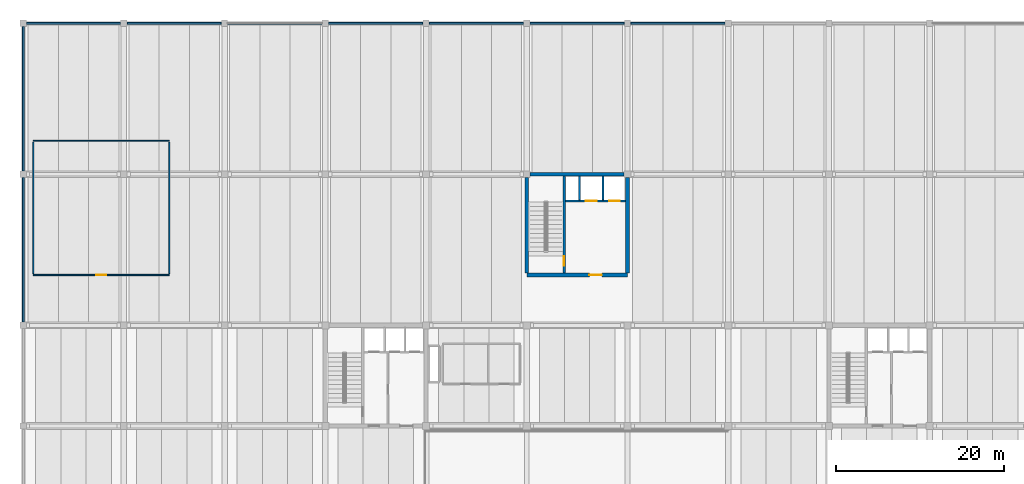
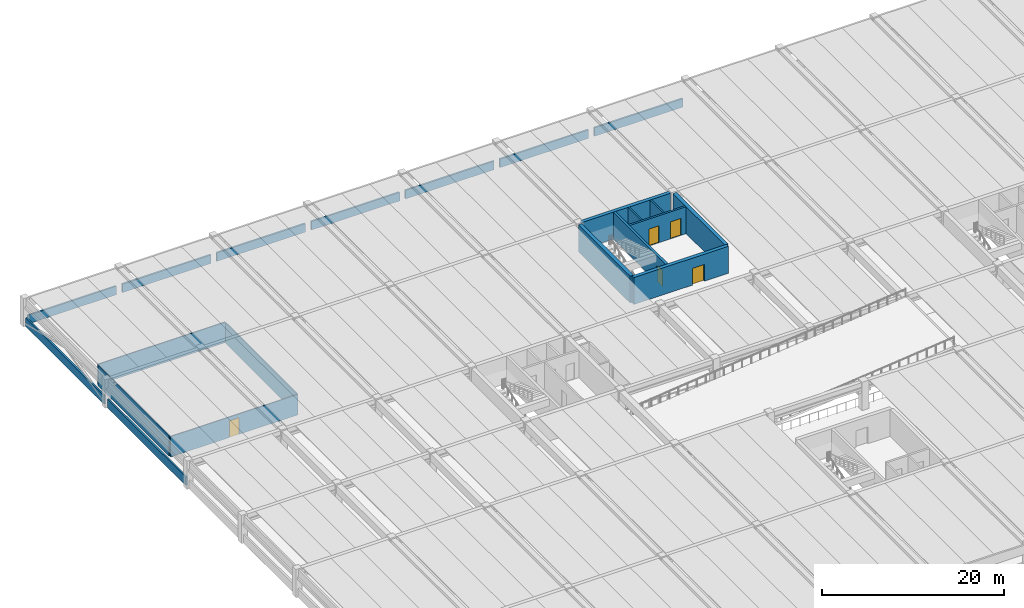
# One storey, part 9 of 14: 21 walls, 5 doors, 5 openings.
"""IFC4 building model written with IfcOpenShell, lengths in metres."""

from ifc_helpers import new_model, si_unit, direction, frame, frame_2d, origin, place, context, subcontext, project, spatial, rectangle, extrude, material, layer, layer_set, type_object, element, fill, save


model = new_model("IFC4")

# Units and contexts
model_context = context("Model", 3, precision=1e-05, world=origin(), true_north=direction((0.0, 1.0)))
body_context = subcontext(model_context, "Body", "Model", "MODEL_VIEW")
ifc_project = project(units=[si_unit("LENGTHUNIT", "METRE"), si_unit("AREAUNIT", "SQUARE_METRE"), si_unit("VOLUMEUNIT", "CUBIC_METRE"), si_unit("PLANEANGLEUNIT", "RADIAN"), si_unit("MASSUNIT", "GRAM", prefix="KILO")], contexts=[model_context])

# Site, building, storey
site_placement = place(None, origin())
site = spatial("IfcSite", under=ifc_project, at=site_placement, CompositionType="ELEMENT")
building_placement = place(site_placement, origin())
building = spatial("IfcBuilding", under=site, at=building_placement, Name="Girod Span Mobility Hub", CompositionType="ELEMENT")
storey_placement = place(building_placement, frame((0.0, 0.0, 24.800048828125)))
storey = spatial("IfcBuildingStorey", under=building, at=storey_placement, Name="L06", CompositionType="ELEMENT", Elevation=24.800048828125)

# Wall, opening, door
ifc_material_1 = material(Name="Concrete C40/50", Category="concrete")
ifc_layer_1 = layer(ifc_material_1, 0.449951171875)
ifc_layer_set_1 = layer_set([ifc_layer_1], Name="Concrete C40/50")
wall_type_1 = type_object("IfcWallType", Name="W-CW-450", PredefinedType="SHEAR", material=ifc_layer_set_1)
wall_1_placement = place(storey_placement, frame((72.0, 75.0, 0.0), z_axis=(0.0, 0.0, 1.0), x_axis=(1.0, 0.0, 0.0)))
wall_1 = element("IfcWall", 1, at=wall_1_placement, inside=storey, type_object=wall_type_1, Name="Core C4 Shear Wall S L06", PredefinedType="SHEAR", context=body_context, shape_type="SweptSolid", body=[
    extrude(rectangle(XDim=12.0, YDim=0.449951171875, at=frame_2d((6.0, 0.0))), origin(), (0.0, 0.0, 1.0), 3.6279296875),
])
opening_1_placement = place(wall_1_placement, frame((7.449951171875, 0.0, 0.0)))
opening_1 = element("IfcOpeningElement", 2, at=opening_1_placement, cuts=wall_1, Name="Opening D-LB-C4-L06", PredefinedType="OPENING", context=body_context, shape_type="SweptSolid", body=[
    extrude(rectangle(XDim=1.5, YDim=2.25, at=frame_2d((0.75, 1.125))), frame((0.0, 0.239990234375, 0.0), z_axis=(0.0, -1.0, 0.0), x_axis=(1.0, 0.0, 0.0)), (0.0, 0.0, 1.0), 0.47998046875),
])
ifc_material_2 = material(Name="Fire-Rated Insulated Hollow Metal Steel", Category="steel")
door_type_1 = type_object("IfcDoorType", Name="DT-FD-03", OperationType="DOUBLE_DOOR_SINGLE_SWING", PredefinedType="DOOR", material=ifc_material_2)
door_1_placement = place(opening_1_placement, origin())
door_1 = element("IfcDoor", 3, at=door_1_placement, inside=storey, type_object=door_type_1, Name="Core C4 Cargo Lift Lobby Door L06", OperationType="DOUBLE_DOOR_SINGLE_SWING", OverallHeight=2.25, OverallWidth=1.5, PredefinedType="DOOR", context=body_context, shape_type="SweptSolid", body=[
    extrude(rectangle(XDim=1.5, YDim=2.25, at=frame_2d((0.75, 1.125))), frame((0.0, 0.02490234375, 0.0), z_axis=(0.0, -1.0, 0.0), x_axis=(1.0, 0.0, 0.0)), (0.0, 0.0, 1.0), 0.050048828125),
])
fill(opening_1, door_1)

# Walls
wall_2_placement = place(storey_placement, frame((72.39697265625, 87.0, 0.0), z_axis=(0.0, 0.0, 1.0), x_axis=(1.0, 0.0, 0.0)))
element("IfcWall", 4, at=wall_2_placement, inside=storey, type_object=wall_type_1, Name="Core C4 Shear Wall N L06", PredefinedType="SHEAR", context=body_context, shape_type="SweptSolid", body=[
    extrude(rectangle(XDim=11.2060546875, YDim=0.449951171875, at=frame_2d((5.60302734375, 0.0))), origin(), (0.0, 0.0, 1.0), 3.6279296875),
])
for number, where, z_axis, x_axis, name in (
    (5, (72.0, 75.221923828125, 0.0), (0.0, 0.0, 1.0), (0.0, 1.0, 0.0), "Core C4 Shear Wall W L06"),
    (6, (84.0, 75.221923828125, 0.0), (0.0, 0.0, 1.0), (0.0, 1.0, 0.0), "Core C4 Shear Wall E L06"),
):
    element("IfcWall", number, at=place(storey_placement, frame(where, z_axis=z_axis, x_axis=x_axis)), inside=storey, type_object=wall_type_1, Name=name, PredefinedType="SHEAR", context=body_context, shape_type="SweptSolid", body=[
        extrude(rectangle(XDim=11.381103515625, YDim=0.449951171875, at=frame_2d((5.6904296875, 0.0))), origin(), (0.0, 0.0, 1.0), 3.6279296875),
    ])
ifc_material_3 = material(Name="Precast Architectural Concrete C40/50", Category="concrete")
ifc_layer_2 = layer(ifc_material_3, 0.215087890625)
ifc_layer_set_2 = layer_set([ifc_layer_2], Name="Precast Architectural Concrete C40/50")
wall_type_2 = type_object("IfcWallType", Name="W-PAR-215", PredefinedType="PARAPET", material=ifc_layer_set_2)
for number, where, z_axis, x_axis, name in (
    (7, (12.373046875, 105.0, 0.0), (0.0, 0.0, 1.0), (1.0, 0.0, 0.0), "Precast Parking Barrier Parapet N-2 L06"),
    (8, (24.373046875, 105.0, 0.0), (0.0, 0.0, 1.0), (1.0, 0.0, 0.0), "Precast Parking Barrier Parapet N-3 L06"),
    (9, (36.373046875, 105.0, 0.0), (0.0, 0.0, 1.0), (1.0, 0.0, 0.0), "Precast Parking Barrier Parapet N-4 L06"),
    (10, (48.373046875, 105.0, 0.0), (0.0, 0.0, 1.0), (1.0, 0.0, 0.0), "Precast Parking Barrier Parapet N-5 L06"),
    (11, (60.373046875, 105.0, 0.0), (0.0, 0.0, 1.0), (1.0, 0.0, 0.0), "Precast Parking Barrier Parapet N-6 L06"),
    (12, (72.373046875, 105.0, 0.0), (0.0, 0.0, 1.0), (1.0, 0.0, 0.0), "Precast Parking Barrier Parapet N-7 L06"),
    (13, (84.373046875, 105.0, 0.0), (0.0, 0.0, 1.0), (1.0, 0.0, 0.0), "Precast Parking Barrier Parapet N-8 L06"),
):
    element("IfcWall", number, at=place(storey_placement, frame(where, z_axis=z_axis, x_axis=x_axis)), inside=storey, type_object=wall_type_2, Name=name, PredefinedType="PARAPET", context=body_context, shape_type="SweptSolid", body=[
        extrude(rectangle(XDim=11.25390625, YDim=0.215087890625, at=frame_2d((5.626953125, 0.0))), origin(), (0.0, 0.0, 1.0), 1.14990234375),
    ])
for number, where, z_axis, x_axis, name in (
    (14, (12.0, 69.373046875, 0.0), (0.0, 0.0, 1.0), (0.0, 1.0, 0.0), "Precast Side Barrier Parapet W-F-1 L06"),
    (15, (12.0, 87.373046875, 0.0), (0.0, 0.0, 1.0), (0.0, 1.0, 0.0), "Precast Side Barrier Parapet W-G-1 L06"),
):
    element("IfcWall", number, at=place(storey_placement, frame(where, z_axis=z_axis, x_axis=x_axis)), inside=storey, type_object=wall_type_2, Name=name, PredefinedType="PARAPET", context=body_context, shape_type="SweptSolid", body=[
        extrude(rectangle(XDim=17.25390625, YDim=0.215087890625, at=frame_2d((8.626953125, 0.0))), origin(), (0.0, 0.0, 1.0), 1.14990234375),
    ])

# Wall, opening, door
ifc_material_4 = material(Name="Fire-Rated Gypsum Board on Metal Studs", Category="gypsum")
ifc_layer_3 = layer(ifc_material_4, 0.139892578125)
ifc_layer_set_3 = layer_set([ifc_layer_3], Name="Fire-Rated Gypsum Board on Metal Studs")
wall_type_3 = type_object("IfcWallType", Name="W-PT-140", PredefinedType="PARTITIONING", material=ifc_layer_set_3)
wall_3_placement = place(storey_placement, frame((13.199951171875, 75.0, 0.0), z_axis=(0.0, 0.0, 1.0), x_axis=(1.0, 0.0, 0.0)))
wall_3 = element("IfcWall", 16, at=wall_3_placement, inside=storey, type_object=wall_type_3, Name="Storage Room Mobility Equipment L06 Partition S", PredefinedType="PARTITIONING", context=body_context, shape_type="SweptSolid", body=[
    extrude(rectangle(XDim=16.199951171875, YDim=0.139892578125, at=frame_2d((8.10009765625, 0.0))), origin(), (0.0, 0.0, 1.0), 2.75),
])
opening_2_placement = place(wall_3_placement, frame((7.4951171875, 0.0, 0.0)))
opening_2 = element("IfcOpeningElement", 17, at=opening_2_placement, cuts=wall_3, Name="Opening D-L06-CAR-SH", PredefinedType="OPENING", context=body_context, shape_type="SweptSolid", body=[
    extrude(rectangle(XDim=1.2099609375, YDim=2.25, at=frame_2d((0.60498046875, 1.125))), frame((0.0, 0.0849609375, 0.0), z_axis=(0.0, -1.0, 0.0), x_axis=(1.0, 0.0, 0.0)), (0.0, 0.0, 1.0), 0.169921875),
])
ifc_material_5 = material(Name="Solid-Core Architectural Timber", Category="wood")
door_type_2 = type_object("IfcDoorType", Name="DT-NR-08", OperationType="NOTDEFINED", PredefinedType="DOOR", material=ifc_material_5)
door_2_placement = place(opening_2_placement, origin())
door_2 = element("IfcDoor", 18, at=door_2_placement, inside=storey, type_object=door_type_2, Name="Storage Room Mobility Equipment L06 Door", OperationType="SINGLE_SWING_RIGHT", OverallHeight=2.25, OverallWidth=1.2099609375, PredefinedType="DOOR", context=body_context, shape_type="SweptSolid", body=[
    extrude(rectangle(XDim=1.2099609375, YDim=2.25, at=frame_2d((0.60498046875, 1.125))), frame((0.0, 0.02490234375, 0.0), z_axis=(0.0, -1.0, 0.0), x_axis=(1.0, 0.0, 0.0)), (0.0, 0.0, 1.0), 0.050048828125),
])
fill(opening_2, door_2)

# Walls
wall_4_placement = place(storey_placement, frame((13.199951171875, 91.0, 0.0), z_axis=(0.0, 0.0, 1.0), x_axis=(1.0, 0.0, 0.0)))
element("IfcWall", 19, at=wall_4_placement, inside=storey, type_object=wall_type_3, Name="Storage Room Mobility Equipment L06 Partition N", PredefinedType="PARTITIONING", context=body_context, shape_type="SweptSolid", body=[
    extrude(rectangle(XDim=16.199951171875, YDim=0.139892578125, at=frame_2d((8.10009765625, 0.0))), origin(), (0.0, 0.0, 1.0), 2.75),
])
for number, where, z_axis, x_axis, name in (
    (20, (13.199951171875, 75.159912109375, 0.0), (0.0, 0.0, 1.0), (0.0, 1.0, 0.0), "Storage Room Mobility Equipment L06 Partition W"),
    (21, (29.39990234375, 75.159912109375, 0.0), (0.0, 0.0, 1.0), (0.0, 1.0, 0.0), "Storage Room Mobility Equipment L06 Partition E"),
):
    element("IfcWall", number, at=place(storey_placement, frame(where, z_axis=z_axis, x_axis=x_axis)), inside=storey, type_object=wall_type_3, Name=name, PredefinedType="PARTITIONING", context=body_context, shape_type="SweptSolid", body=[
        extrude(rectangle(XDim=15.68017578125, YDim=0.139892578125, at=frame_2d((7.840087890625, 0.0))), origin(), (0.0, 0.0, 1.0), 2.75),
    ])
ifc_material_6 = material(Name="Concrete C40/50", Category="concrete")
ifc_layer_4 = layer(ifc_material_6, 0.199951171875)
ifc_layer_set_4 = layer_set([ifc_layer_4], Name="Concrete C40/50")
wall_type_4 = type_object("IfcWallType", Name="W-SH-200", PredefinedType="SOLIDWALL", material=ifc_layer_set_4)
for number, where, z_axis, x_axis, name in (
    (22, (78.280029296875, 83.919921875, 0.0), (0.0, 0.0, 1.0), (0.0, 1.0, 0.0), "Core C4 Shaft Divider 1 L06"),
    (23, (81.080078125, 83.919921875, 0.0), (0.0, 0.0, 1.0), (0.0, 1.0, 0.0), "Core C4 Shaft Divider 2 L06"),
):
    element("IfcWall", number, at=place(storey_placement, frame(where, z_axis=z_axis, x_axis=x_axis)), inside=storey, type_object=wall_type_4, Name=name, PredefinedType="SOLIDWALL", context=body_context, shape_type="SweptSolid", body=[
        extrude(rectangle(XDim=2.85498046875, YDim=0.199951171875, at=frame_2d((1.427490234375, 0.0))), origin(), (0.0, 0.0, 1.0), 3.617919921875),
    ])

# Wall, openings, doors
ifc_material_7 = material(Name="Concrete C40/50", Category="concrete")
ifc_layer_5 = layer(ifc_material_7, 0.25)
ifc_layer_set_5 = layer_set([ifc_layer_5], Name="Concrete C40/50")
wall_type_5 = type_object("IfcWallType", Name="W-SH-250", PredefinedType="SOLIDWALL", material=ifc_layer_set_5)
wall_5_placement = place(storey_placement, frame((76.596923828125, 83.800048828125, 0.0), z_axis=(0.0, 0.0, 1.0), x_axis=(1.0, 0.0, 0.0)))
wall_5 = element("IfcWall", 24, at=wall_5_placement, inside=storey, type_object=wall_type_5, Name="Core C4 Hoistway Front Wall L06", PredefinedType="SOLIDWALL", context=body_context, shape_type="SweptSolid", body=[
    extrude(rectangle(XDim=7.18115234375, YDim=0.25, at=frame_2d((3.590576171875, 0.0))), origin(), (0.0, 0.0, 1.0), 3.6279296875),
])
opening_3_placement = place(wall_5_placement, frame((2.43310546875, 0.0, 0.0)))
opening_3 = element("IfcOpeningElement", 25, at=opening_3_placement, cuts=wall_5, Name="Opening LD-LB-1-L06", PredefinedType="OPENING", context=body_context, shape_type="SweptSolid", body=[
    extrude(rectangle(XDim=1.300048828125, YDim=2.280029296875, at=frame_2d((0.64990234375, 1.14013671875))), frame((0.0, 0.139892578125, 0.0), z_axis=(0.0, -1.0, 0.0), x_axis=(1.0, 0.0, 0.0)), (0.0, 0.0, 1.0), 0.280029296875),
])
opening_4_placement = place(wall_5_placement, frame((5.202880859375, 0.0, 0.0)))
opening_4 = element("IfcOpeningElement", 26, at=opening_4_placement, cuts=wall_5, Name="Opening LD-LB-2-L06", PredefinedType="OPENING", context=body_context, shape_type="SweptSolid", body=[
    extrude(rectangle(XDim=1.300048828125, YDim=2.280029296875, at=frame_2d((0.64990234375, 1.14013671875))), frame((0.0, 0.139892578125, 0.0), z_axis=(0.0, -1.0, 0.0), x_axis=(1.0, 0.0, 0.0)), (0.0, 0.0, 1.0), 0.280029296875),
])
ifc_material_8 = material(Name="Brushed Stainless Steel Grade 304", Category="steel")
door_type_3 = type_object("IfcDoorType", Name="LD-LB-130", OperationType="SLIDING_TO_LEFT", PredefinedType="USERDEFINED", material=ifc_material_8)
door_3_placement = place(opening_3_placement, origin())
door_3 = element("IfcDoor", 27, at=door_3_placement, inside=storey, type_object=door_type_3, Name="Lift LB-1 Sliding Landing Door L06", ObjectType="LANDING DOOR", OperationType="SLIDING_TO_LEFT", OverallHeight=2.280029296875, OverallWidth=1.300048828125, PredefinedType="USERDEFINED", context=body_context, shape_type="SweptSolid", body=[
    extrude(rectangle(XDim=1.300048828125, YDim=2.280029296875, at=frame_2d((0.64990234375, 1.14013671875))), frame((0.0, 0.02490234375, 0.0), z_axis=(0.0, -1.0, 0.0), x_axis=(1.0, 0.0, 0.0)), (0.0, 0.0, 1.0), 0.050048828125),
])
fill(opening_3, door_3)
door_4_placement = place(opening_4_placement, origin())
door_4 = element("IfcDoor", 28, at=door_4_placement, inside=storey, type_object=door_type_3, Name="Lift LB-2 Sliding Landing Door L06", ObjectType="LANDING DOOR", OperationType="SLIDING_TO_LEFT", OverallHeight=2.280029296875, OverallWidth=1.300048828125, PredefinedType="USERDEFINED", context=body_context, shape_type="SweptSolid", body=[
    extrude(rectangle(XDim=1.300048828125, YDim=2.280029296875, at=frame_2d((0.64990234375, 1.14013671875))), frame((0.0, 0.02490234375, 0.0), z_axis=(0.0, -1.0, 0.0), x_axis=(1.0, 0.0, 0.0)), (0.0, 0.0, 1.0), 0.050048828125),
])
fill(opening_4, door_4)

# Wall, opening, door
ifc_material_9 = material(Name="Concrete C40/50", Category="concrete")
ifc_layer_6 = layer(ifc_material_9, 0.300048828125)
ifc_layer_set_6 = layer_set([ifc_layer_6], Name="Concrete C40/50")
wall_type_6 = type_object("IfcWallType", Name="W-SH-300", PredefinedType="SHEAR", material=ifc_layer_set_6)
wall_6_placement = place(storey_placement, frame((76.449951171875, 75.221923828125, 0.0), z_axis=(0.0, 0.0, 1.0), x_axis=(0.0, 1.0, 0.0)))
wall_6 = element("IfcWall", 29, at=wall_6_placement, inside=storey, type_object=wall_type_6, Name="Core C4 Stairwell Spine Wall L06", PredefinedType="SHEAR", context=body_context, shape_type="SweptSolid", body=[
    extrude(rectangle(XDim=11.55615234375, YDim=0.300048828125, at=frame_2d((5.778076171875, 0.0))), origin(), (0.0, 0.0, 1.0), 3.6279296875),
])
opening_5_placement = place(wall_6_placement, frame((0.89990234375, 0.0, 0.0)))
opening_5 = element("IfcOpeningElement", 30, at=opening_5_placement, cuts=wall_6, Name="Opening D-ST-4-L06", PredefinedType="OPENING", context=body_context, shape_type="SweptSolid", body=[
    extrude(rectangle(XDim=1.10009765625, YDim=2.199951171875, at=frame_2d((0.550048828125, 1.10009765625))), frame((0.0, 0.1650390625, 0.0), z_axis=(0.0, -1.0, 0.0), x_axis=(1.0, 0.0, 0.0)), (0.0, 0.0, 1.0), 0.330078125),
])
ifc_material_10 = material(Name="Fire-Rated Insulated Hollow Metal Steel", Category="steel")
door_type_4 = type_object("IfcDoorType", Name="DT-FD-01", OperationType="NOTDEFINED", PredefinedType="DOOR", material=ifc_material_10)
door_5_placement = place(opening_5_placement, origin())
door_5 = element("IfcDoor", 31, at=door_5_placement, inside=storey, type_object=door_type_4, Name="Stair ST-4 Fire Door L06", OperationType="SINGLE_SWING_LEFT", OverallHeight=2.199951171875, OverallWidth=1.10009765625, PredefinedType="DOOR", context=body_context, shape_type="SweptSolid", body=[
    extrude(rectangle(XDim=1.10009765625, YDim=2.199951171875, at=frame_2d((0.550048828125, 1.10009765625))), frame((0.0, 0.02490234375, 0.0), z_axis=(0.0, -1.0, 0.0), x_axis=(1.0, 0.0, 0.0)), (0.0, 0.0, 1.0), 0.050048828125),
])
fill(opening_5, door_5)

save(model, "model.ifc")
